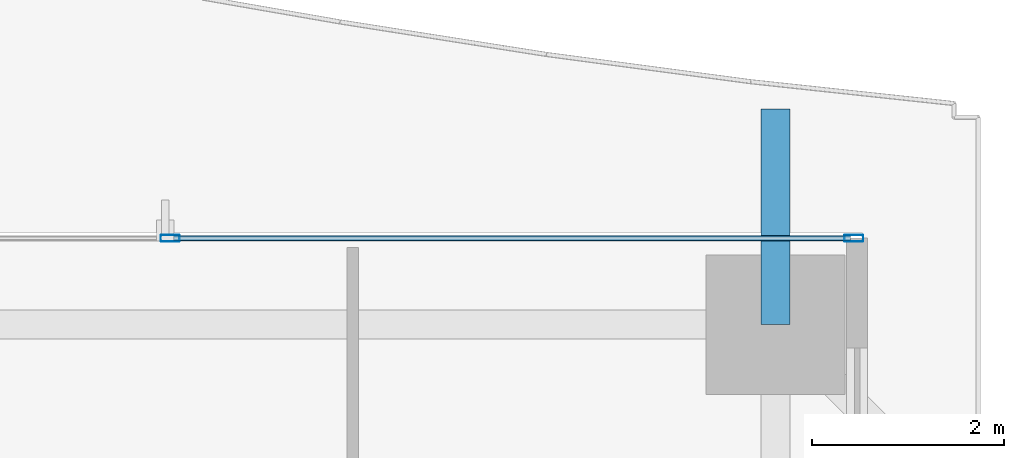
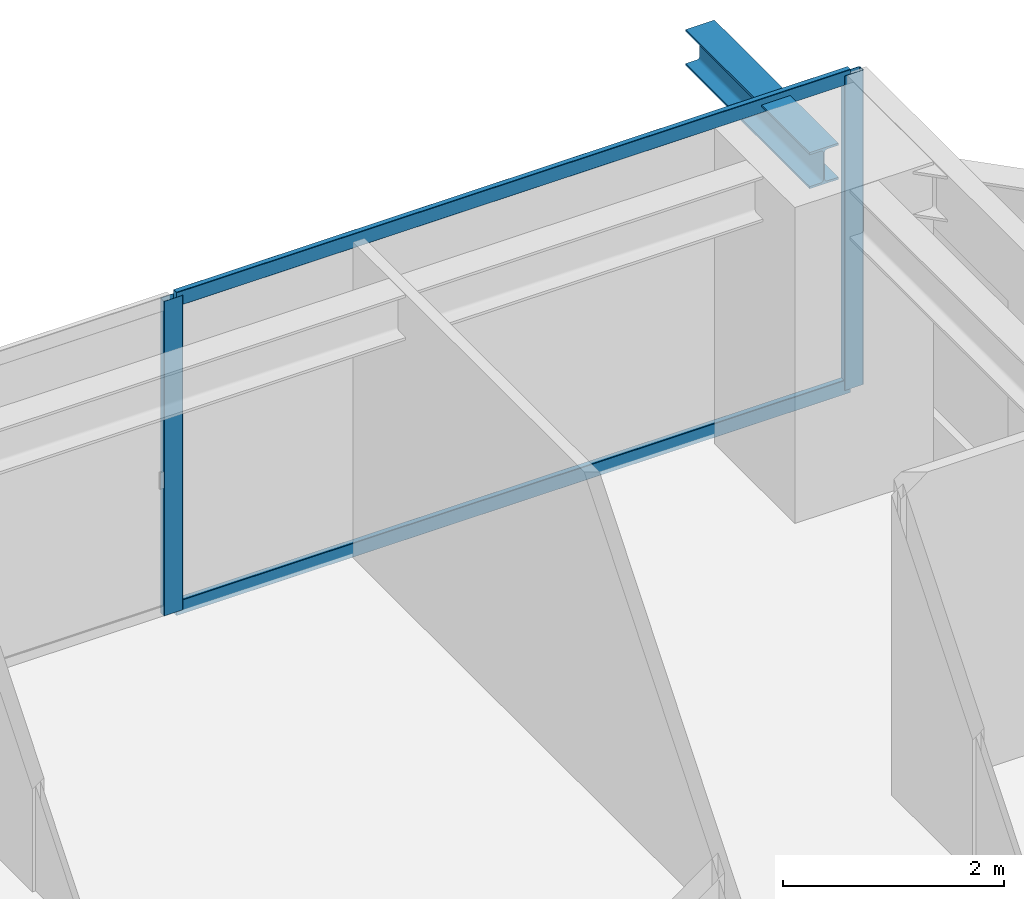
# One storey, part 24 of 38: 4 members, 1 beam, 1 element without a shape of its own.
"""IFC4 building model written with IfcOpenShell, lengths in metres."""

from ifc_helpers import new_model, si_unit, direction, frame, origin, origin_2d, place, context, subcontext, project, spatial, hollow_rectangle, i_section, extrude, source, transform, mapped, material, layer, layer_set, material_profile, profile_set, type_object, element, aggregate, save


model = new_model("IFC4")

# Units and contexts
model_context = context("Model", 3, precision=1e-05, world=origin(), true_north=direction((0.0, 1.0)))
body_context = subcontext(model_context, "Body", "Model", "MODEL_VIEW")
ifc_project = project(units=[si_unit("LENGTHUNIT", "METRE"), si_unit("AREAUNIT", "SQUARE_METRE"), si_unit("VOLUMEUNIT", "CUBIC_METRE"), si_unit("PLANEANGLEUNIT", "RADIAN"), si_unit("MASSUNIT", "GRAM", prefix="KILO")], contexts=[model_context])

# Site, building, storey
site_placement = place(None, origin())
site = spatial("IfcSite", under=ifc_project, at=site_placement, CompositionType="ELEMENT")
building_placement = place(site_placement, origin())
building = spatial("IfcBuilding", under=site, at=building_placement, Name="Serunith Strait Residences", CompositionType="ELEMENT")
storey_placement = place(building_placement, frame((0.0, 0.0, 52.949951171875)))
storey = spatial("IfcBuildingStorey", under=building, at=storey_placement, Name="L12", CompositionType="ELEMENT", Elevation=52.949951171875)

# Beam
ifc_material_1 = material(Name="Steel S355J2", Category="steel")
ifc_material_profile_1 = material_profile(ifc_material_1, i_section(OverallWidth=0.300048828125, OverallDepth=0.39990234375, WebThickness=0.013427734375, FlangeThickness=0.02392578125, FilletRadius=0.027099609375, at=origin_2d()), Name="HEB 400")
ifc_profile_set_1 = profile_set([ifc_material_profile_1], Name="Steel S355J2")
beam_type = type_object("IfcBeamType", Name="BM-HEB400", PredefinedType="BEAM", material=ifc_profile_set_1)
shared_shape_1 = source(origin(), body_context, "Body", "SweptSolid", [
    extrude(i_section(OverallWidth=0.300048828125, OverallDepth=0.39990234375, WebThickness=0.013427734375, FlangeThickness=0.02392578125, FilletRadius=0.027099609375, at=origin_2d()), origin(), (0.0, 0.0, 1.0), 2.244873046875),
])
beam_placement = place(storey_placement, frame((49.550048828125, 49.300048828125, 3.257080078125), z_axis=(0.0, 1.0, 0.0), x_axis=(-1.0, 0.0, 0.0)))
element("IfcBeam", 1, at=beam_placement, inside=storey, type_object=beam_type, Name="L13 Cantilevered Balcony Rib TC-N4", PredefinedType="BEAM", context=body_context, shape_type="MappedRepresentation", body=[
    mapped(shared_shape_1, transform((0.0, 0.0, 0.0), scale=1.0)),
])

# Curtain wall, members
ifc_material_2 = material(Name="Pale-Champagne Anodised Aluminium", Category="aluminium")
ifc_layer = layer(ifc_material_2, 0.199951171875, Name="Pale-Champagne Anodised Aluminium")
ifc_layer_set = layer_set([ifc_layer], Name="Pale-Champagne Anodised Aluminium")
curtain_wall_type = type_object("IfcCurtainWallType", Name="CW-SYS1", PredefinedType="NOTDEFINED", material=ifc_layer_set)
curtain_wall_placement = place(storey_placement, origin())
curtain_wall = element("IfcCurtainWall", 2, at=curtain_wall_placement, inside=storey, type_object=curtain_wall_type, Name="L12 N Unitised Fritted Curtain Wall", PredefinedType="NOTDEFINED")
ifc_material_profile_2 = material_profile(ifc_material_2, hollow_rectangle(XDim=0.070068359375, YDim=0.199951171875, WallThickness=0.00390625, InnerFilletRadius=0.006103515625, OuterFilletRadius=0.010009765625, at=origin_2d()), Name="ALU 200x70x4")
ifc_profile_set_2 = profile_set([ifc_material_profile_2], Name="Pale-Champagne Anodised Aluminium")
member_type_1 = type_object("IfcMemberType", Name="CW-SYS1-MULL", PredefinedType="MULLION", material=ifc_profile_set_2)
shared_shape_2 = source(origin(), body_context, "Body", "SweptSolid", [
    extrude(hollow_rectangle(XDim=0.070068359375, YDim=0.199951171875, WallThickness=0.00390625, InnerFilletRadius=0.006103515625, OuterFilletRadius=0.010009765625, at=origin_2d()), origin(), (0.0, 0.0, 1.0), 3.47509765625),
])
member_1_placement = place(storey_placement, frame((50.364990234375, 50.199951171875, 0.0), z_axis=(0.0, 0.0, 1.0), x_axis=(0.0, -1.0, 0.0)))
member_1 = element("IfcMember", 3, at=member_1_placement, type_object=member_type_1, Name="CW-1 mullion 1", PredefinedType="MULLION", context=body_context, shape_type="MappedRepresentation", body=[
    mapped(shared_shape_2, transform((0.0, 0.0, 0.0), scale=1.0)),
])
member_2_placement = place(storey_placement, frame((43.25, 50.199951171875, 0.0), z_axis=(0.0, 0.0, 1.0), x_axis=(0.0, -1.0, 0.0)))
member_2 = element("IfcMember", 4, at=member_2_placement, type_object=member_type_1, Name="CW-1 mullion 2", PredefinedType="MULLION", context=body_context, shape_type="MappedRepresentation", body=[
    mapped(shared_shape_2, transform((0.0, 0.0, 0.0), scale=1.0)),
])
ifc_material_profile_3 = material_profile(ifc_material_2, hollow_rectangle(XDim=0.06005859375, YDim=0.159912109375, WallThickness=0.00341796875, InnerFilletRadius=0.00537109375, OuterFilletRadius=0.0087890625, at=origin_2d()), Name="ALU 160x60x3.5")
ifc_profile_set_3 = profile_set([ifc_material_profile_3], Name="Pale-Champagne Anodised Aluminium")
member_type_2 = type_object("IfcMemberType", Name="CW-SYS1-TRAN", PredefinedType="USERDEFINED", material=ifc_profile_set_3)
shared_shape_3 = source(origin(), body_context, "Body", "SweptSolid", [
    extrude(hollow_rectangle(XDim=0.06005859375, YDim=0.159912109375, WallThickness=0.00341796875, InnerFilletRadius=0.00537109375, OuterFilletRadius=0.0087890625, at=origin_2d()), origin(), (0.0, 0.0, 1.0), 7.045166015625),
])
member_3_placement = place(storey_placement, frame((50.330078125, 50.199951171875, 0.030029296875), z_axis=(-1.0, 0.0, 0.0), x_axis=(0.0, -1.0, 0.0)))
member_3 = element("IfcMember", 5, at=member_3_placement, type_object=member_type_2, Name="CW-1 transom 1.1", ObjectType="TRANSOM", PredefinedType="USERDEFINED", context=body_context, shape_type="MappedRepresentation", body=[
    mapped(shared_shape_3, transform((0.0, 0.0, 0.0), scale=1.0)),
])
member_4_placement = place(storey_placement, frame((50.330078125, 50.199951171875, 3.445068359375), z_axis=(-1.0, 0.0, 0.0), x_axis=(0.0, -1.0, 0.0)))
member_4 = element("IfcMember", 6, at=member_4_placement, type_object=member_type_2, Name="CW-1 transom 1.2", ObjectType="TRANSOM", PredefinedType="USERDEFINED", context=body_context, shape_type="MappedRepresentation", body=[
    mapped(shared_shape_3, transform((0.0, 0.0, 0.0), scale=1.0)),
])
aggregate(curtain_wall, [member_1, member_2, member_3, member_4])

save(model, "model.ifc")
